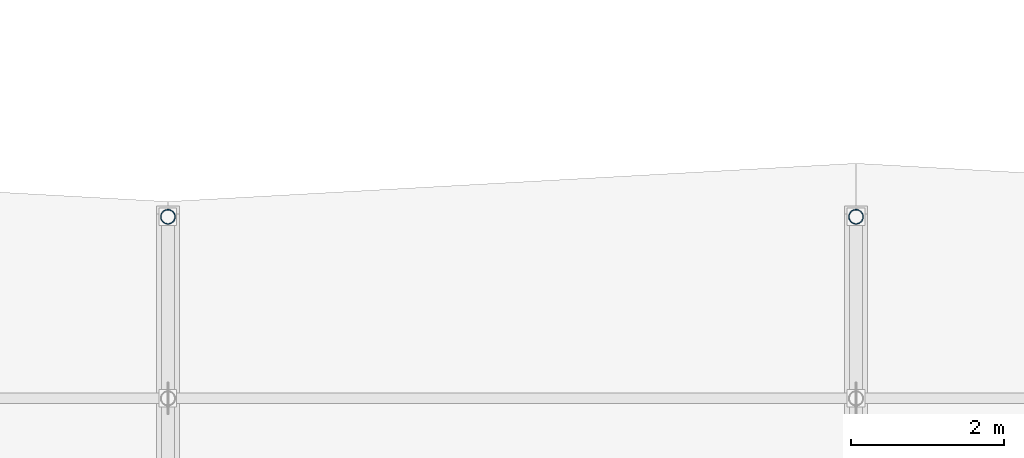
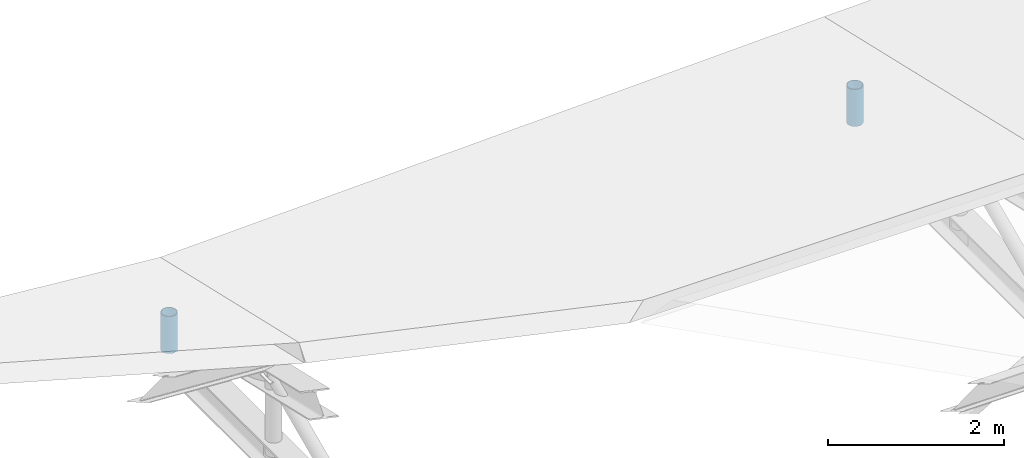
# One storey, part 28 of 55: 2 members.
"""IFC4 building model written with IfcOpenShell, lengths in metres."""

from ifc_helpers import new_model, si_unit, direction, frame, origin, origin_2d, place, context, subcontext, project, spatial, hollow_circle, extrude, material, material_profile, profile_set, type_object, element, save


model = new_model("IFC4")

# Units and contexts
model_context = context("Model", 3, precision=1e-05, world=origin(), true_north=direction((0.0, 1.0)))
body_context = subcontext(model_context, "Body", "Model", "MODEL_VIEW")
ifc_project = project(units=[si_unit("LENGTHUNIT", "METRE"), si_unit("AREAUNIT", "SQUARE_METRE"), si_unit("VOLUMEUNIT", "CUBIC_METRE"), si_unit("PLANEANGLEUNIT", "RADIAN"), si_unit("MASSUNIT", "GRAM", prefix="KILO")], contexts=[model_context])

# Site, building, storey
site_placement = place(None, origin())
site = spatial("IfcSite", under=ifc_project, at=site_placement, CompositionType="ELEMENT")
building_placement = place(site_placement, origin())
building = spatial("IfcBuilding", under=site, at=building_placement, Name="Bozkorgan Art Gallery", CompositionType="ELEMENT")
storey_placement = place(building_placement, frame((0.0, 0.0, 15.0)))
storey = spatial("IfcBuildingStorey", under=building, at=storey_placement, Name="L03", CompositionType="ELEMENT", Elevation=15.0)

# Members
ifc_material = material(Name="Steel S355J2", Category="steel")
ifc_material_profile = material_profile(ifc_material, hollow_circle(Radius=0.096923828125, WallThickness=0.008056640625, at=origin_2d()), Name="CHS 193.7x8")
ifc_profile_set = profile_set([ifc_material_profile], Name="Steel S355J2")
member_type = type_object("IfcMemberType", Name="MEMBER-TP-46", PredefinedType="POST", material=ifc_profile_set)
for number, where, z_axis, x_axis, name in (
    (1, (83.0, 93.75, 0.199951171875), (0.0, 0.0, 1.0), (1.0, 0.0, 0.0), "ROOF-V4-STEP3 roof truss 2 post 4"),
    (2, (92.0, 93.75, 0.199951171875), (0.0, 0.0, 1.0), (1.0, 0.0, 0.0), "ROOF-V4-STEP3 roof truss 3 post 4"),
):
    element("IfcMember", number, at=place(storey_placement, frame(where, z_axis=z_axis, x_axis=x_axis)), inside=storey, type_object=member_type, Name=name, PredefinedType="POST", context=body_context, shape_type="SweptSolid", body=[
        extrude(hollow_circle(Radius=0.096923828125, WallThickness=0.008056640625, at=origin_2d()), origin(), (0.0, 0.0, 1.0), 0.513427734375),
    ])

save(model, "model.ifc")
